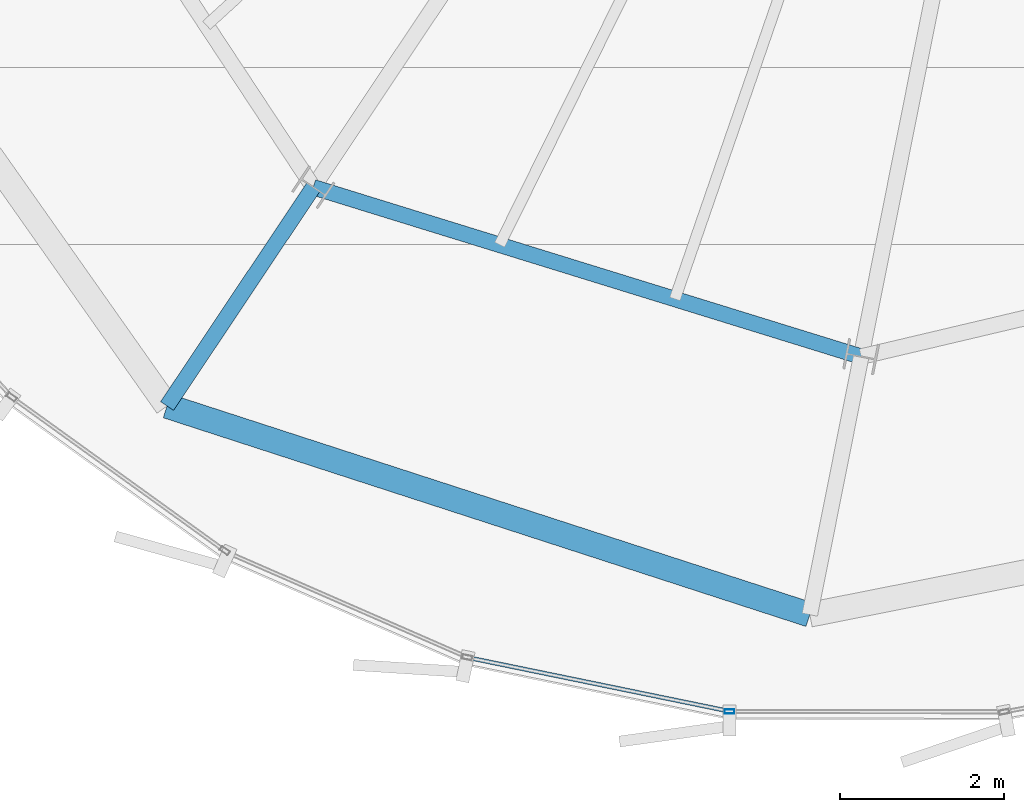
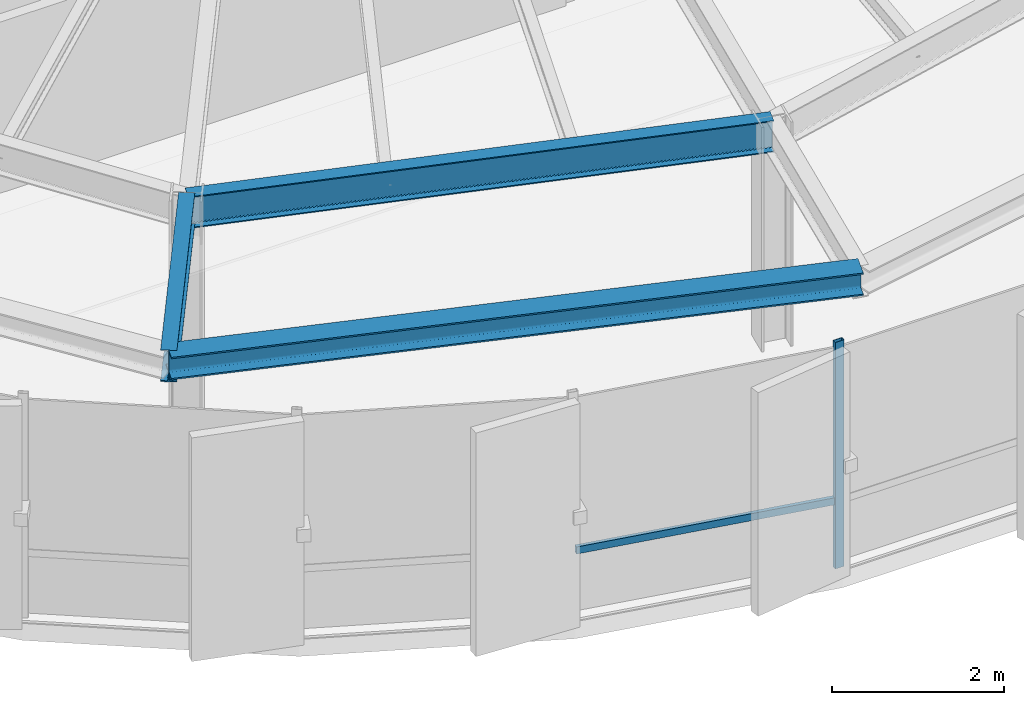
# One storey, part 3 of 31: 3 beams, 2 members, 1 element without a shape of its own.
"""IFC4 building model written with IfcOpenShell, lengths in metres."""

from ifc_helpers import new_model, si_unit, direction, frame, origin, origin_2d, place, context, subcontext, project, spatial, hollow_rectangle, i_section, extrude, source, transform, mapped, material, layer, layer_set, material_profile, profile_set, type_object, element, aggregate, save


model = new_model("IFC4")

# Units and contexts
model_context = context("Model", 3, precision=1e-05, world=origin(), true_north=direction((0.0, 1.0)))
body_context = subcontext(model_context, "Body", "Model", "MODEL_VIEW")
ifc_project = project(units=[si_unit("LENGTHUNIT", "METRE"), si_unit("AREAUNIT", "SQUARE_METRE"), si_unit("VOLUMEUNIT", "CUBIC_METRE"), si_unit("PLANEANGLEUNIT", "RADIAN"), si_unit("MASSUNIT", "GRAM", prefix="KILO"), si_unit("THERMODYNAMICTEMPERATUREUNIT", "KELVIN")], contexts=[model_context])

# Site, building, storey
site_placement = place(None, origin())
site = spatial("IfcSite", under=ifc_project, at=site_placement, CompositionType="ELEMENT")
building_placement = place(site_placement, origin())
building = spatial("IfcBuilding", under=site, at=building_placement, Name="Kethvar Cultural Tower", CompositionType="ELEMENT")
storey_placement = place(building_placement, frame((0.0, 0.0, 276.699951171875)))
storey = spatial("IfcBuildingStorey", under=building, at=storey_placement, Name="L73", CompositionType="ELEMENT", Elevation=276.699951171875)

# Beams
ifc_material_1 = material(Name="Steel S355J2", Category="steel")
ifc_material_profile_1 = material_profile(ifc_material_1, i_section(OverallWidth=0.18994140625, OverallDepth=0.449951171875, WebThickness=0.009521484375, FlangeThickness=0.0146484375, FilletRadius=0.02099609375, at=origin_2d()), Name="Steel S355J2 — IPE450")
ifc_profile_set_1 = profile_set([ifc_material_profile_1], Name="Steel S355J2 — IPE450")
beam_type_1 = type_object("IfcBeamType", Name="BM-IPE450", PredefinedType="BEAM", material=ifc_profile_set_1)
shared_shape_1 = source(origin(), body_context, "Body", "SweptSolid", [
    extrude(i_section(OverallWidth=0.18994140625, OverallDepth=0.449951171875, WebThickness=0.009521484375, FlangeThickness=0.0146484375, FilletRadius=0.02099609375, at=origin_2d()), origin(), (0.0, 0.0, 1.0), 3.199951171875),
])
beam_1_placement = place(storey_placement, frame((36.731201171875, 12.73095703125, 2.983154296875), z_axis=(-0.555580212716, -0.831462943996, 0.0), x_axis=(0.831462943996, -0.555580212716, 0.0)))
element("IfcBeam", 1, at=beam_1_placement, inside=storey, type_object=beam_type_1, Name="L73 Perimeter Cantilever Beam RC-11", PredefinedType="BEAM", context=body_context, shape_type="MappedRepresentation", body=[
    mapped(shared_shape_1, transform((0.0, 0.0, 0.0), scale=1.0)),
])
shared_shape_2 = source(origin(), body_context, "Body", "SweptSolid", [
    extrude(i_section(OverallWidth=0.18994140625, OverallDepth=0.449951171875, WebThickness=0.009521484375, FlangeThickness=0.0146484375, FilletRadius=0.02099609375, at=origin_2d()), origin(), (0.0, 0.0, 1.0), 6.97265625),
])
beam_2_placement = place(storey_placement, frame((36.731201171875, 12.73095703125, 2.983154296875), z_axis=(0.955381444404, -0.295374839295, 0.0), x_axis=(0.295374839295, 0.955381444404, 0.0)))
element("IfcBeam", 2, at=beam_2_placement, inside=storey, type_object=beam_type_1, Name="L73 Column Ring Tie Beam CR-11", PredefinedType="BEAM", context=body_context, shape_type="MappedRepresentation", body=[
    mapped(shared_shape_2, transform((0.0, 0.0, 0.0), scale=1.0)),
])
ifc_material_profile_2 = material_profile(ifc_material_1, i_section(OverallWidth=0.300048828125, OverallDepth=0.320068359375, WebThickness=0.011474609375, FlangeThickness=0.0205078125, FilletRadius=0.027099609375, at=origin_2d()), Name="Steel S355J2 — HEB320")
ifc_profile_set_2 = profile_set([ifc_material_profile_2], Name="Steel S355J2 — HEB320")
beam_type_2 = type_object("IfcBeamType", Name="BM-SP320", PredefinedType="SPANDREL", material=ifc_profile_set_2)
shared_shape_3 = source(origin(), body_context, "Body", "SweptSolid", [
    extrude(i_section(OverallWidth=0.300048828125, OverallDepth=0.320068359375, WebThickness=0.011474609375, FlangeThickness=0.0205078125, FilletRadius=0.027099609375, at=origin_2d()), origin(), (0.0, 0.0, 1.0), 8.216796875),
])
beam_3_placement = place(storey_placement, frame((34.953369140625, 10.0703125, 3.048095703125), z_axis=(0.951117661456, -0.30882874553, 0.0), x_axis=(0.30882874553, 0.951117661456, 0.0)))
element("IfcBeam", 3, at=beam_3_placement, inside=storey, type_object=beam_type_2, Name="L73 Perimeter Spandrel Beam SP-11", PredefinedType="SPANDREL", context=body_context, shape_type="MappedRepresentation", body=[
    mapped(shared_shape_3, transform((0.0, 0.0, 0.0), scale=1.0)),
])

# Curtain wall, members
ifc_material_2 = material(Name="Aluminium 6063-T6", Category="aluminium")
ifc_layer = layer(ifc_material_2, 0.179931640625, Name="Aluminium 6063-T6", Category="aluminium")
ifc_layer_set = layer_set([ifc_layer], Name="Aluminium 6063-T6 (180 mm)")
curtain_wall_type = type_object("IfcCurtainWallType", Name="CW-SYS-05-Z56", PredefinedType="NOTDEFINED", material=ifc_layer_set)
curtain_wall_placement = place(storey_placement, origin())
curtain_wall = element("IfcCurtainWall", 4, at=curtain_wall_placement, inside=storey, type_object=curtain_wall_type, Name="L73 Curtain Wall Run 04", PredefinedType="NOTDEFINED")
ifc_material_profile_3 = material_profile(ifc_material_2, hollow_rectangle(XDim=0.054931640625, YDim=0.1201171875, WallThickness=0.00390625, at=origin_2d()), Name="Aluminium 6063-T6 — RHS120x55x4")
ifc_profile_set_3 = profile_set([ifc_material_profile_3], Name="Aluminium 6063-T6 — RHS120x55x4")
member_type_1 = type_object("IfcMemberType", Name="CW-SYS-05-Z56-MUL", PredefinedType="MULLION", material=ifc_profile_set_3)
shared_shape_4 = source(origin(), body_context, "Body", "SweptSolid", [
    extrude(hollow_rectangle(XDim=0.054931640625, YDim=0.1201171875, WallThickness=0.00390625, at=origin_2d()), origin(), (0.0, 0.0, 1.0), 3.2099609375),
])
member_1_placement = place(storey_placement, frame((41.792236328125, 6.35693359375, 0.0), z_axis=(0.0, 0.0, 1.0), x_axis=(0.001186823613, 0.999999295725, 0.0)))
member_1 = element("IfcMember", 5, at=member_1_placement, type_object=member_type_1, Name="CW-L73-R04 Mullion 3", PredefinedType="MULLION", context=body_context, shape_type="MappedRepresentation", body=[
    mapped(shared_shape_4, transform((0.0, 0.0, 0.0), scale=1.0)),
])
ifc_material_profile_4 = material_profile(ifc_material_2, hollow_rectangle(XDim=0.050048828125, YDim=0.10009765625, WallThickness=0.00390625, at=origin_2d()), Name="Aluminium 6063-T6 — RHS100x50x4")
ifc_profile_set_4 = profile_set([ifc_material_profile_4], Name="Aluminium 6063-T6 — RHS100x50x4")
member_type_2 = type_object("IfcMemberType", Name="CW-SYS-05-Z56-TRN", PredefinedType="USERDEFINED", material=ifc_profile_set_4)
shared_shape_5 = source(origin(), body_context, "Body", "SweptSolid", [
    extrude(hollow_rectangle(XDim=0.050048828125, YDim=0.10009765625, WallThickness=0.00390625, at=origin_2d()), origin(), (0.0, 0.0, 1.0), 3.196044921875),
])
member_2_placement = place(storey_placement, frame((38.642822265625, 7.005615234375, 0.949951171875), z_axis=(0.979562967782, -0.201137744223, 0.0), x_axis=(0.201137744223, 0.979562967782, 0.0)))
member_2 = element("IfcMember", 6, at=member_2_placement, type_object=member_type_2, Name="CW-L73-R04 Transom 2", ObjectType="TRANSOM", PredefinedType="USERDEFINED", context=body_context, shape_type="MappedRepresentation", body=[
    mapped(shared_shape_5, transform((0.0, 0.0, 0.0), scale=1.0)),
])
aggregate(curtain_wall, [member_1, member_2])

save(model, "model.ifc")
